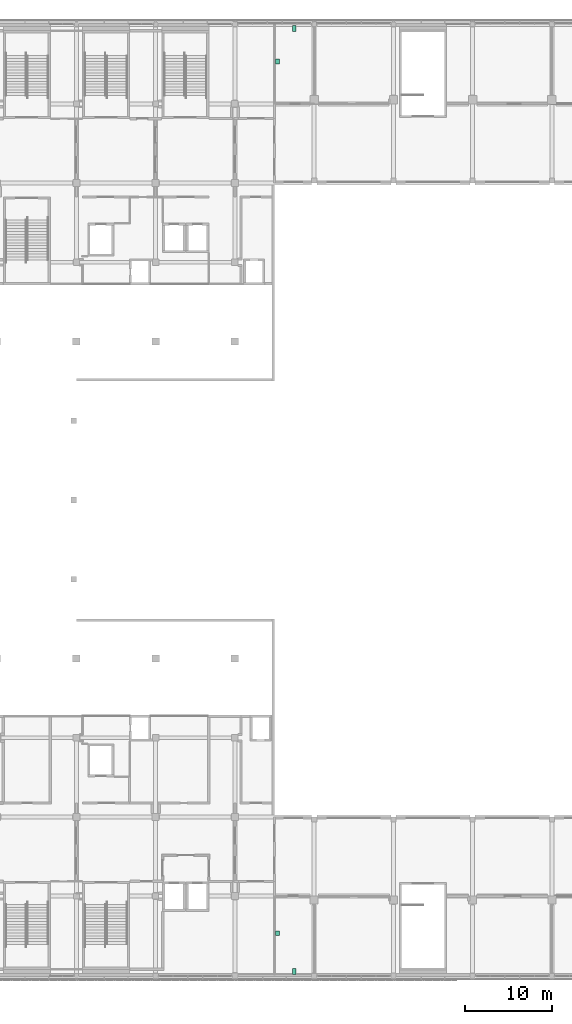
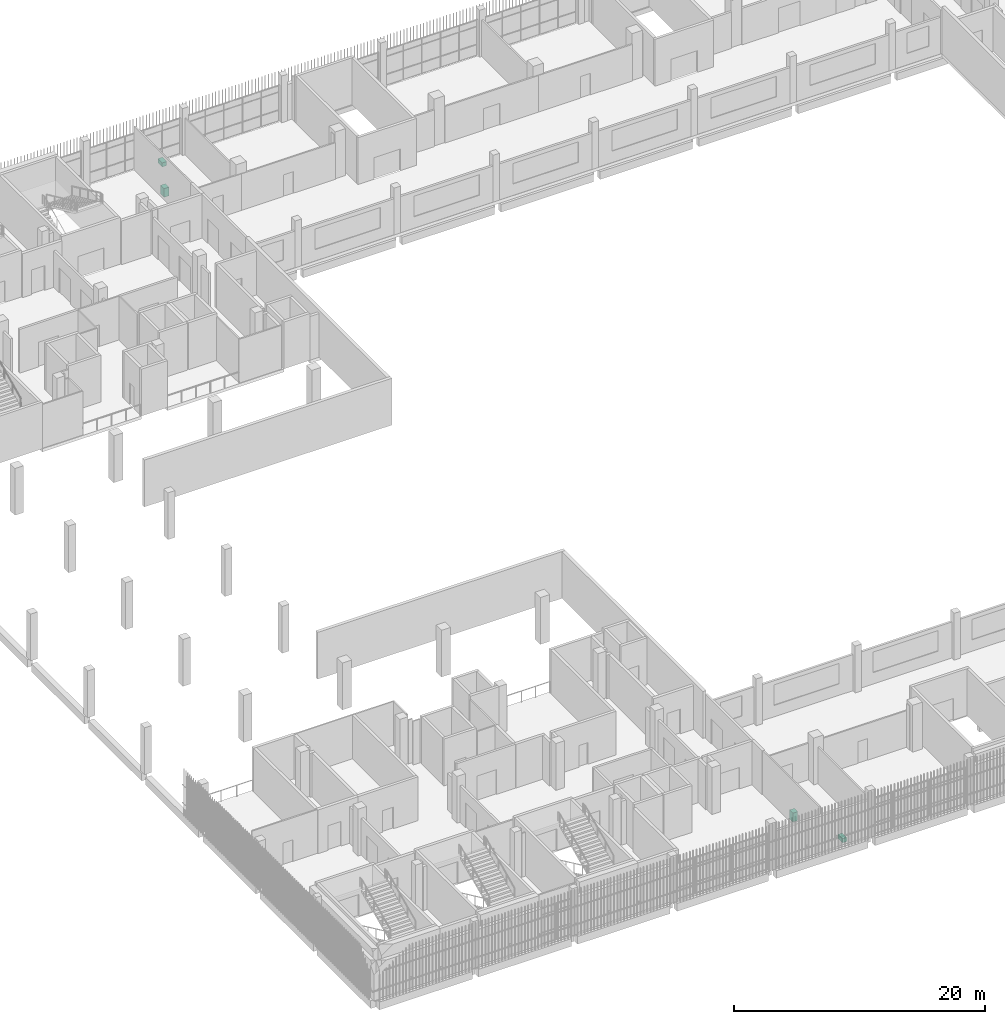
# One storey, part 104 of 104: 4 sanitary terminals.
"""IFC4 building model written with IfcOpenShell, lengths in metres."""

from ifc_helpers import new_model, si_unit, direction, frame, origin, origin_2d, place, context, subcontext, project, spatial, rectangle, extrude, element, save


model = new_model("IFC4")

# Units and contexts
model_context = context("Model", 3, precision=1e-05, world=origin(), true_north=direction((0.0, 1.0)))
body_context = subcontext(model_context, "Body", "Model", "MODEL_VIEW")
ifc_project = project(units=[si_unit("LENGTHUNIT", "METRE"), si_unit("AREAUNIT", "SQUARE_METRE"), si_unit("VOLUMEUNIT", "CUBIC_METRE"), si_unit("PLANEANGLEUNIT", "RADIAN"), si_unit("MASSUNIT", "GRAM", prefix="KILO")], contexts=[model_context])

# Site, building, storey
site_placement = place(None, origin())
site = spatial("IfcSite", under=ifc_project, at=site_placement, CompositionType="ELEMENT")
building_placement = place(site_placement, origin())
building = spatial("IfcBuilding", under=site, at=building_placement, Name="Shirokan Park Arena", CompositionType="ELEMENT")
storey_placement = place(building_placement, frame((0.0, 0.0, 10.919921875)))
storey = spatial("IfcBuildingStorey", under=building, at=storey_placement, Name="L02", CompositionType="ELEMENT", Elevation=10.919921875)

# Sanitary terminals
sanitary_terminal_1_placement = place(storey_placement, frame((43.22509765625, 108.75, 0.000244140625), z_axis=(0.0, 0.0, 1.0), x_axis=(1.0, 0.0, 0.0)))
element("IfcSanitaryTerminal", 1, at=sanitary_terminal_1_placement, inside=storey, Name="Water closet Accessible WC 2.31", PredefinedType="TOILETPAN", context=body_context, shape_type="SweptSolid", body=[
    extrude(rectangle(XDim=0.39990234375, YDim=0.699951171875, at=origin_2d()), origin(), (0.0, 0.0, 1.0), 0.39990234375),
])
sanitary_terminal_2_placement = place(storey_placement, frame((41.27490234375, 104.949951171875, 0.0), z_axis=(0.0, 0.0, 1.0), x_axis=(1.0, 0.0, 0.0)))
element("IfcSanitaryTerminal", 2, at=sanitary_terminal_2_placement, inside=storey, Name="Washbasin Accessible WC 2.31", PredefinedType="WASHHANDBASIN", context=body_context, shape_type="SweptSolid", body=[
    extrude(rectangle(XDim=0.449951171875, YDim=0.550048828125, at=origin_2d()), origin(), (0.0, 0.0, 1.0), 0.85009765625),
])
sanitary_terminal_3_placement = place(storey_placement, frame((43.22509765625, 0.449951171875, 0.000244140625), z_axis=(0.0, 0.0, 1.0), x_axis=(1.0, 0.0, 0.0)))
element("IfcSanitaryTerminal", 3, at=sanitary_terminal_3_placement, inside=storey, Name="Water closet Accessible WC 2.11", PredefinedType="TOILETPAN", context=body_context, shape_type="SweptSolid", body=[
    extrude(rectangle(XDim=0.39990234375, YDim=0.699951171875, at=origin_2d()), origin(), (0.0, 0.0, 1.0), 0.39990234375),
])
sanitary_terminal_4_placement = place(storey_placement, frame((41.27490234375, 4.85009765625, 0.0), z_axis=(0.0, 0.0, 1.0), x_axis=(1.0, 0.0, 0.0)))
element("IfcSanitaryTerminal", 4, at=sanitary_terminal_4_placement, inside=storey, Name="Washbasin Accessible WC 2.11", PredefinedType="WASHHANDBASIN", context=body_context, shape_type="SweptSolid", body=[
    extrude(rectangle(XDim=0.449951171875, YDim=0.550048828125, at=origin_2d()), origin(), (0.0, 0.0, 1.0), 0.85009765625),
])

save(model, "model.ifc")
